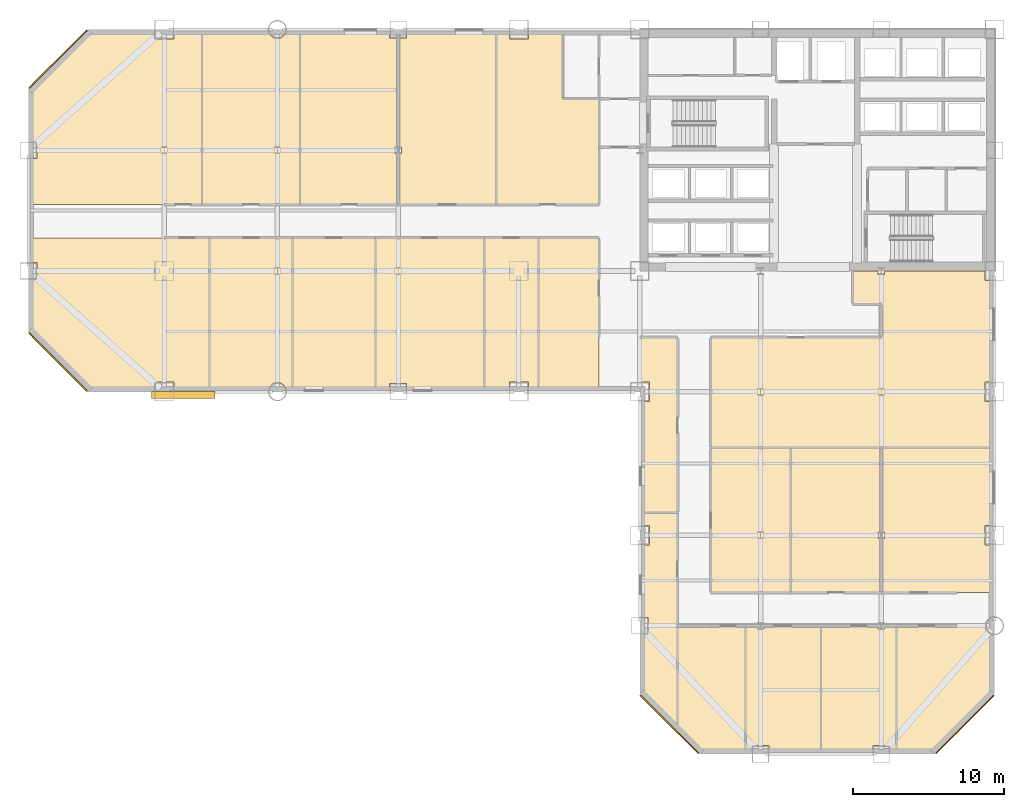
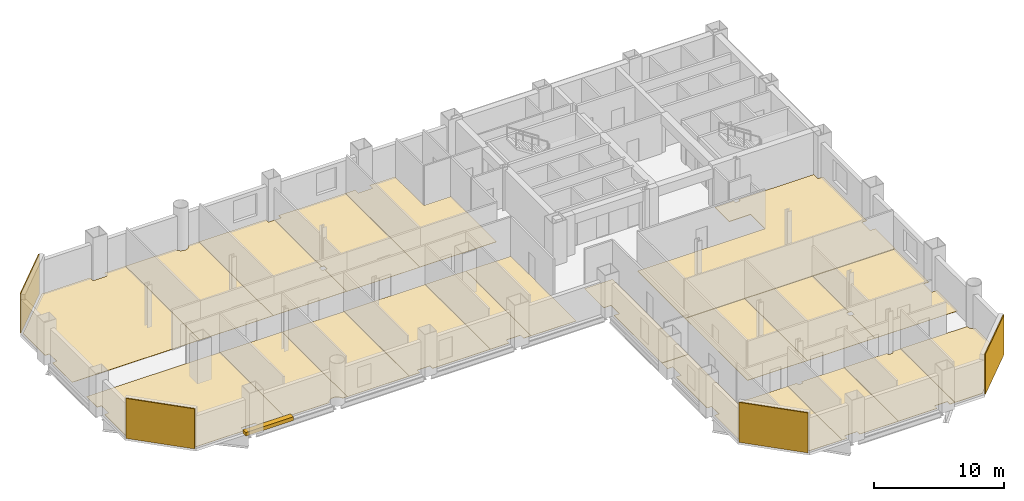
# One storey, part 8 of 9: 25 coverings, 1 shading device.
"""IFC4 building model written with IfcOpenShell, lengths in metres."""

from ifc_helpers import new_model, si_unit, direction, frame, origin, origin_2d, place, context, subcontext, project, spatial, polyline, rectangle, outline, extrude, material, layer, layer_set, type_object, element, save


model = new_model("IFC4")

# Units and contexts
model_context = context("Model", 3, precision=1e-05, world=origin(), true_north=direction((0.0, 1.0)))
body_context = subcontext(model_context, "Body", "Model", "MODEL_VIEW")
ifc_project = project(units=[si_unit("LENGTHUNIT", "METRE"), si_unit("AREAUNIT", "SQUARE_METRE"), si_unit("VOLUMEUNIT", "CUBIC_METRE"), si_unit("PLANEANGLEUNIT", "RADIAN"), si_unit("MASSUNIT", "GRAM", prefix="KILO")], contexts=[model_context])

# Site, building, storey
site_placement = place(None, origin())
site = spatial("IfcSite", under=ifc_project, at=site_placement, CompositionType="ELEMENT")
building_placement = place(site_placement, origin())
building = spatial("IfcBuilding", under=site, at=building_placement, Name="Qianrong Seaharbour Tower", CompositionType="ELEMENT")
storey_placement = place(building_placement, frame((0.0, 0.0, 92.199951171875)))
storey = spatial("IfcBuildingStorey", under=building, at=storey_placement, Name="L22", CompositionType="ELEMENT", Elevation=92.199951171875)

# Coverings
ifc_material_1 = material(Name="Unitised red brick cladding on Precast concrete C45/55", Category="masonry")
ifc_layer_1 = layer(ifc_material_1, 0.080078125)
ifc_layer_set_1 = layer_set([ifc_layer_1], Name="Unitised red brick cladding on Precast concrete C45/55")
covering_type_1 = type_object("IfcCoveringType", Name="COV-CLAD-RED-BRICK-80", PredefinedType="CLADDING", material=ifc_layer_set_1)
for number, where, z_axis, x_axis, name in (
    (1, (1.9716796875, 29.9716796875, 0.0), (0.0, 0.0, 1.0), (-0.707106781187, 0.707106781187, 0.0), "L22 Chamfer Corner Brick Cladding 02"),
    (2, (1.9716796875, 50.0283203125, 0.0), (0.0, 0.0, 1.0), (0.707106781187, 0.707106781187, 0.0), "L22 Chamfer Corner Brick Cladding 04"),
    (3, (62.0283203125, 5.9716796875, 0.0), (0.0, 0.0, 1.0), (-0.707106781187, -0.707106781187, 0.0), "L22 Chamfer Corner Brick Cladding 07"),
    (4, (42.4716796875, 5.9716796875, 0.0), (0.0, 0.0, 1.0), (-0.707106781187, 0.707106781187, 0.0), "L22 Chamfer Corner Brick Cladding 09"),
):
    element("IfcCovering", number, at=place(storey_placement, frame(where, z_axis=z_axis, x_axis=x_axis)), inside=storey, type_object=covering_type_1, Name=name, PredefinedType="CLADDING", context=body_context, shape_type="SweptSolid", body=[
        extrude(rectangle(XDim=5.456787109375, YDim=0.080078125, at=origin_2d()), origin(), (0.0, 0.0, 1.0), 3.75),
    ])
ifc_material_2 = material(Name="Acoustic modular carpet tile flooring")
ifc_layer_2 = layer(ifc_material_2, 0.02001953125)
ifc_layer_set_2 = layer_set([ifc_layer_2], Name="Acoustic modular carpet tile flooring")
covering_type_2 = type_object("IfcCoveringType", Name="COV-FLOOR-CARPET-20", PredefinedType="FLOORING", material=ifc_layer_set_2)
covering_1_placement = place(storey_placement, origin())
element("IfcCovering", 5, at=covering_1_placement, inside=storey, type_object=covering_type_2, Name="L22 Trade Meeting Room 3 Finish Flooring", PredefinedType="FLOORING", context=body_context, shape_type="SweptSolid", body=[
    extrude(outline(polyline([(63.824951171875, 24.2900390625), (63.824951171875, 19.135009765625), (63.364990234375, 19.135009765625), (63.364990234375, 17.864990234375), (63.824951171875, 17.864990234375), (63.824951171875, 14.699951171875), (56.5, 14.699951171875), (56.5, 18.27587890625), (56.71337890625, 18.27587890625), (56.71337890625, 18.72412109375), (56.5, 18.72412109375), (56.5, 24.2900390625), (63.824951171875, 24.2900390625)])), origin(), (0.0, 0.0, 1.0), 0.02001953125),
])
covering_2_placement = place(storey_placement, origin())
element("IfcCovering", 6, at=covering_2_placement, inside=storey, type_object=covering_type_2, Name="L22 Contract Meeting Room 4 Finish Flooring", PredefinedType="FLOORING", context=body_context, shape_type="SweptSolid", body=[
    extrude(outline(polyline([(24.5, 43.77587890625), (24.71337890625, 43.77587890625), (24.71337890625, 44.22412109375), (24.5, 44.22412109375), (24.5, 51.43994140625), (25.06005859375, 51.43994140625), (25.06005859375, 51.824951171875), (31.0, 51.824951171875), (31.0, 40.39990234375), (24.5, 40.39990234375), (24.5, 43.77587890625)])), origin(), (0.0, 0.0, 1.0), 0.02001953125),
])
covering_3_placement = place(storey_placement, origin())
element("IfcCovering", 7, at=covering_3_placement, inside=storey, type_object=covering_type_2, Name="L22 VIP Client Lounge 3 Finish Flooring", PredefinedType="FLOORING", context=body_context, shape_type="SweptSolid", body=[
    extrude(outline(polyline([(23.0, 28.175048828125), (17.5, 28.175048828125), (17.5, 38.199951171875), (23.0, 38.199951171875), (23.0, 28.175048828125)])), origin(), (0.0, 0.0, 1.0), 0.02001953125),
])
covering_4_placement = place(storey_placement, origin())
element("IfcCovering", 8, at=covering_4_placement, inside=storey, type_object=covering_type_2, Name="L22 VIP Client Lounge 6 Finish Flooring", PredefinedType="FLOORING", context=body_context, shape_type="SweptSolid", body=[
    extrude(outline(polyline([(37.800048828125, 28.175048828125), (33.800048828125, 28.175048828125), (33.800048828125, 38.199951171875), (37.800048828125, 38.199951171875), (37.800048828125, 28.175048828125)])), origin(), (0.0, 0.0, 1.0), 0.02001953125),
])
covering_5_placement = place(storey_placement, origin())
element("IfcCovering", 9, at=covering_5_placement, inside=storey, type_object=covering_type_2, Name="L22 Wet Pantry 1 Finish Flooring", PredefinedType="FLOORING", context=body_context, shape_type="SweptSolid", body=[
    extrude(outline(polyline([(40.675048828125, 8.072509765625), (40.675048828125, 11.93994140625), (41.06005859375, 11.93994140625), (41.06005859375, 13.06005859375), (40.675048828125, 13.06005859375), (40.675048828125, 17.864990234375), (41.135009765625, 17.864990234375), (41.135009765625, 19.135009765625), (40.675048828125, 19.135009765625), (40.675048828125, 20.0), (43.0, 20.0), (43.0, 5.74755859375), (40.675048828125, 8.072509765625)])), origin(), (0.0, 0.0, 1.0), 0.02001953125),
])
covering_6_placement = place(storey_placement, origin())
element("IfcCovering", 10, at=covering_6_placement, inside=storey, type_object=covering_type_2, Name="L22 Harbour Trade Lounge 1 Finish Flooring", PredefinedType="FLOORING", context=body_context, shape_type="SweptSolid", body=[
    extrude(outline(polyline([(47.5, 4.175048828125), (44.572509765625, 4.175048828125), (43.0, 5.74755859375), (43.0, 12.5), (47.5, 12.5), (47.5, 4.175048828125)])), origin(), (0.0, 0.0, 1.0), 0.02001953125),
])
covering_7_placement = place(storey_placement, origin())
element("IfcCovering", 11, at=covering_7_placement, inside=storey, type_object=covering_type_2, Name="L22 Contract Signing Room 2 Finish Flooring", PredefinedType="FLOORING", context=body_context, shape_type="SweptSolid", body=[
    extrude(outline(polyline([(52.5, 4.175048828125), (49.06005859375, 4.175048828125), (49.06005859375, 4.56005859375), (47.93994140625, 4.56005859375), (47.93994140625, 4.175048828125), (47.5, 4.175048828125), (47.5, 12.5), (48.28662109375, 12.5), (48.28662109375, 12.27587890625), (48.71337890625, 12.27587890625), (48.71337890625, 12.5), (52.5, 12.5), (52.5, 4.175048828125)])), origin(), (0.0, 0.0, 1.0), 0.02001953125),
])
ifc_material_3 = material(Name="Honed granite stone flooring", Category="masonry")
ifc_layer_3 = layer(ifc_material_3, 0.030029296875)
ifc_layer_set_3 = layer_set([ifc_layer_3], Name="Honed granite stone flooring")
covering_type_3 = type_object("IfcCoveringType", Name="COV-FLOOR-GRANITE-30", PredefinedType="FLOORING", material=ifc_layer_set_3)
covering_8_placement = place(storey_placement, origin())
element("IfcCovering", 12, at=covering_8_placement, inside=storey, type_object=covering_type_3, Name="L22 Chartering Model Showroom 1 Finish Flooring", PredefinedType="FLOORING", context=body_context, shape_type="SweptSolid", body=[
    extrude(outline(polyline([(50.5, 24.2900390625), (50.5, 14.699951171875), (45.199951171875, 14.699951171875), (45.199951171875, 24.2900390625), (50.5, 24.2900390625)])), origin(), (0.0, 0.0, 1.0), 0.030029296875),
])
covering_9_placement = place(storey_placement, origin())
element("IfcCovering", 13, at=covering_9_placement, inside=storey, type_object=covering_type_3, Name="L22 Port Equipment Showroom 2 Finish Flooring", PredefinedType="FLOORING", context=body_context, shape_type="SweptSolid", body=[
    extrude(outline(polyline([(56.5, 24.2900390625), (56.5, 18.72412109375), (56.28662109375, 18.72412109375), (56.28662109375, 18.27587890625), (56.5, 18.27587890625), (56.5, 14.699951171875), (50.5, 14.699951171875), (50.5, 24.2900390625), (56.5, 24.2900390625)])), origin(), (0.0, 0.0, 1.0), 0.030029296875),
])
covering_10_placement = place(storey_placement, origin())
element("IfcCovering", 14, at=covering_10_placement, inside=storey, type_object=covering_type_3, Name="L22 Vessel Model Showroom 1 Finish Flooring", PredefinedType="FLOORING", context=body_context, shape_type="SweptSolid", body=[
    extrude(outline(polyline([(0.175048828125, 43.43994140625), (0.56005859375, 43.43994140625), (0.56005859375, 44.56005859375), (0.175048828125, 44.56005859375), (0.175048828125, 47.927490234375), (4.072509765625, 51.824951171875), (8.364990234375, 51.824951171875), (8.364990234375, 51.364990234375), (9.635009765625, 51.364990234375), (9.635009765625, 51.824951171875), (11.5, 51.824951171875), (11.5, 40.39990234375), (0.175048828125, 40.39990234375), (0.175048828125, 43.43994140625)])), origin(), (0.0, 0.0, 1.0), 0.030029296875),
])
covering_11_placement = place(storey_placement, origin())
element("IfcCovering", 15, at=covering_11_placement, inside=storey, type_object=covering_type_3, Name="L22 Navigation Systems Showroom 2 Finish Flooring", PredefinedType="FLOORING", context=body_context, shape_type="SweptSolid", body=[
    extrude(outline(polyline([(11.5, 51.824951171875), (15.918701171875, 51.824951171875), (15.936279296875, 51.7666015625), (15.992919921875, 51.6611328125), (16.068603515625, 51.568603515625), (16.1611328125, 51.492919921875), (16.2666015625, 51.436279296875), (16.381103515625, 51.401611328125), (16.5, 51.389892578125), (16.618896484375, 51.401611328125), (16.7333984375, 51.436279296875), (16.8388671875, 51.492919921875), (16.931396484375, 51.568603515625), (17.007080078125, 51.6611328125), (17.063720703125, 51.7666015625), (17.081298828125, 51.824951171875), (18.0, 51.824951171875), (18.0, 40.39990234375), (11.5, 40.39990234375), (11.5, 51.824951171875)])), origin(), (0.0, 0.0, 1.0), 0.030029296875),
])
covering_12_placement = place(storey_placement, origin())
element("IfcCovering", 16, at=covering_12_placement, inside=storey, type_object=covering_type_3, Name="L22 Marine Propulsion Showroom 3 Finish Flooring", PredefinedType="FLOORING", context=body_context, shape_type="SweptSolid", body=[
    extrude(outline(polyline([(18.0, 51.824951171875), (23.93994140625, 51.824951171875), (23.93994140625, 51.43994140625), (24.5, 51.43994140625), (24.5, 44.22412109375), (24.28662109375, 44.22412109375), (24.28662109375, 43.77587890625), (24.5, 43.77587890625), (24.5, 40.39990234375), (18.0, 40.39990234375), (18.0, 51.824951171875)])), origin(), (0.0, 0.0, 1.0), 0.030029296875),
])
covering_13_placement = place(storey_placement, origin())
element("IfcCovering", 17, at=covering_13_placement, inside=storey, type_object=covering_type_3, Name="L22 Vessel Model Showroom 5 Finish Flooring", PredefinedType="FLOORING", context=body_context, shape_type="SweptSolid", body=[
    extrude(outline(polyline([(31.0, 51.824951171875), (31.864990234375, 51.824951171875), (31.864990234375, 51.364990234375), (33.135009765625, 51.364990234375), (33.135009765625, 51.824951171875), (35.39990234375, 51.824951171875), (35.39990234375, 47.39990234375), (37.800048828125, 47.39990234375), (37.800048828125, 40.39990234375), (31.0, 40.39990234375), (31.0, 51.824951171875)])), origin(), (0.0, 0.0, 1.0), 0.030029296875),
])
covering_14_placement = place(storey_placement, origin())
element("IfcCovering", 18, at=covering_14_placement, inside=storey, type_object=covering_type_3, Name="L22 Cargo Systems Showroom 1 Finish Flooring", PredefinedType="FLOORING", context=body_context, shape_type="SweptSolid", body=[
    extrude(outline(polyline([(9.635009765625, 28.175048828125), (9.635009765625, 28.635009765625), (8.364990234375, 28.635009765625), (8.364990234375, 28.175048828125), (4.072509765625, 28.175048828125), (0.175048828125, 32.072509765625), (0.175048828125, 35.43994140625), (0.56005859375, 35.43994140625), (0.56005859375, 36.56005859375), (0.175048828125, 36.56005859375), (0.175048828125, 38.199951171875), (12.0, 38.199951171875), (12.0, 28.175048828125), (9.635009765625, 28.175048828125)])), origin(), (0.0, 0.0, 1.0), 0.030029296875),
])
covering_15_placement = place(storey_placement, origin())
element("IfcCovering", 19, at=covering_15_placement, inside=storey, type_object=covering_type_3, Name="L22 Fleet Logistics Showroom 2 Finish Flooring", PredefinedType="FLOORING", context=body_context, shape_type="SweptSolid", body=[
    extrude(outline(polyline([(17.5, 28.175048828125), (17.081298828125, 28.175048828125), (17.063720703125, 28.2333984375), (17.007080078125, 28.3388671875), (16.931396484375, 28.431396484375), (16.8388671875, 28.507080078125), (16.7333984375, 28.563720703125), (16.618896484375, 28.598388671875), (16.5, 28.610107421875), (16.381103515625, 28.598388671875), (16.2666015625, 28.563720703125), (16.1611328125, 28.507080078125), (16.068603515625, 28.431396484375), (15.992919921875, 28.3388671875), (15.936279296875, 28.2333984375), (15.918701171875, 28.175048828125), (12.0, 28.175048828125), (12.0, 38.199951171875), (17.5, 38.199951171875), (17.5, 28.175048828125)])), origin(), (0.0, 0.0, 1.0), 0.030029296875),
])
covering_16_placement = place(storey_placement, origin())
element("IfcCovering", 20, at=covering_16_placement, inside=storey, type_object=covering_type_3, Name="L22 Cargo Systems Showroom 4 Finish Flooring", PredefinedType="FLOORING", context=body_context, shape_type="SweptSolid", body=[
    extrude(outline(polyline([(30.199951171875, 28.175048828125), (25.06005859375, 28.175048828125), (25.06005859375, 28.56005859375), (23.93994140625, 28.56005859375), (23.93994140625, 28.175048828125), (23.0, 28.175048828125), (23.0, 38.199951171875), (30.199951171875, 38.199951171875), (30.199951171875, 28.175048828125)])), origin(), (0.0, 0.0, 1.0), 0.030029296875),
])
covering_17_placement = place(storey_placement, origin())
element("IfcCovering", 21, at=covering_17_placement, inside=storey, type_object=covering_type_3, Name="L22 Fleet Logistics Showroom 5 Finish Flooring", PredefinedType="FLOORING", context=body_context, shape_type="SweptSolid", body=[
    extrude(outline(polyline([(33.800048828125, 28.175048828125), (33.135009765625, 28.175048828125), (33.135009765625, 28.635009765625), (31.864990234375, 28.635009765625), (31.864990234375, 28.175048828125), (30.199951171875, 28.175048828125), (30.199951171875, 38.199951171875), (33.800048828125, 38.199951171875), (33.800048828125, 28.175048828125)])), origin(), (0.0, 0.0, 1.0), 0.030029296875),
])
covering_18_placement = place(storey_placement, origin())
element("IfcCovering", 22, at=covering_18_placement, inside=storey, type_object=covering_type_3, Name="L22 Maritime Fleet Gallery 2 Finish Flooring", PredefinedType="FLOORING", context=body_context, shape_type="SweptSolid", body=[
    extrude(outline(polyline([(43.0, 20.0), (40.675048828125, 20.0), (40.675048828125, 27.364990234375), (41.135009765625, 27.364990234375), (41.135009765625, 28.635009765625), (40.5, 28.635009765625), (40.5, 31.60009765625), (43.0, 31.60009765625), (43.0, 20.0)])), origin(), (0.0, 0.0, 1.0), 0.030029296875),
])
covering_19_placement = place(storey_placement, origin())
element("IfcCovering", 23, at=covering_19_placement, inside=storey, type_object=covering_type_3, Name="L22 Marine Showcase Showroom 3 Finish Flooring", PredefinedType="FLOORING", context=body_context, shape_type="SweptSolid", body=[
    extrude(outline(polyline([(57.5, 4.175048828125), (57.06005859375, 4.175048828125), (57.06005859375, 4.56005859375), (55.93994140625, 4.56005859375), (55.93994140625, 4.175048828125), (52.5, 4.175048828125), (52.5, 12.5), (56.28662109375, 12.5), (56.28662109375, 12.27587890625), (56.71337890625, 12.27587890625), (56.71337890625, 12.5), (57.5, 12.5), (57.5, 4.175048828125)])), origin(), (0.0, 0.0, 1.0), 0.030029296875),
])
ifc_material_4 = material(Name="Calcium-sulphate raised access floor tile")
ifc_layer_4 = layer(ifc_material_4, 0.044921875)
ifc_layer_set_4 = layer_set([ifc_layer_4], Name="Calcium-sulphate raised access floor tile")
covering_type_4 = type_object("IfcCoveringType", Name="COV-FLOOR-RAISED-45", PredefinedType="FLOORING", material=ifc_layer_set_4)
covering_20_placement = place(storey_placement, origin())
element("IfcCovering", 24, at=covering_20_placement, inside=storey, type_object=covering_type_4, Name="L22 Commercial Desk Open-Plan Office Finish Flooring", PredefinedType="FLOORING", context=body_context, shape_type="SweptSolid", body=[
    extrude(outline(polyline([(56.5, 31.60009765625), (56.5, 33.800048828125), (54.60009765625, 33.800048828125), (54.60009765625, 36.0), (56.28662109375, 36.0), (56.28662109375, 35.77587890625), (56.71337890625, 35.77587890625), (56.71337890625, 36.0), (63.364990234375, 36.0), (63.364990234375, 35.364990234375), (63.824951171875, 35.364990234375), (63.824951171875, 28.635009765625), (63.364990234375, 28.635009765625), (63.364990234375, 27.364990234375), (63.824951171875, 27.364990234375), (63.824951171875, 24.2900390625), (45.199951171875, 24.2900390625), (45.199951171875, 31.60009765625), (56.5, 31.60009765625)])), origin(), (0.0, 0.0, 1.0), 0.045166015625),
])
covering_21_placement = place(storey_placement, origin())
element("IfcCovering", 25, at=covering_21_placement, inside=storey, type_object=covering_type_4, Name="L22 Brokerage Office 4 Finish Flooring", PredefinedType="FLOORING", context=body_context, shape_type="SweptSolid", body=[
    extrude(outline(polyline([(63.824951171875, 8.072509765625), (59.927490234375, 4.175048828125), (57.5, 4.175048828125), (57.5, 12.5), (63.389892578125, 12.5), (63.401611328125, 12.381103515625), (63.436279296875, 12.2666015625), (63.492919921875, 12.1611328125), (63.568603515625, 12.068603515625), (63.6611328125, 11.992919921875), (63.7666015625, 11.936279296875), (63.824951171875, 11.918701171875), (63.824951171875, 8.072509765625)])), origin(), (0.0, 0.0, 1.0), 0.045166015625),
])

# Shading device
ifc_material_5 = material(Name="White architectural precast concrete C45/55", Category="concrete")
shading_device_type = type_object("IfcShadingDeviceType", Name="SHD-SUNSHADE-WHITE-320", PredefinedType="AWNING", material=ifc_material_5)
shading_device_placement = place(storey_placement, frame((10.262451171875, 27.780029296875, -0.02001953125), z_axis=(0.0, 0.0, 1.0), x_axis=(1.0, 0.0, 0.0)))
element("IfcShadingDevice", 26, at=shading_device_placement, inside=storey, type_object=shading_device_type, Name="L22 Climbing White Precast Ribbon Canopy Fin", PredefinedType="AWNING", context=body_context, shape_type="SweptSolid", body=[
    extrude(rectangle(XDim=4.199951171875, YDim=0.4599609375, at=origin_2d()), origin(), (0.0, 0.0, 1.0), 0.340087890625),
])

save(model, "model.ifc")
